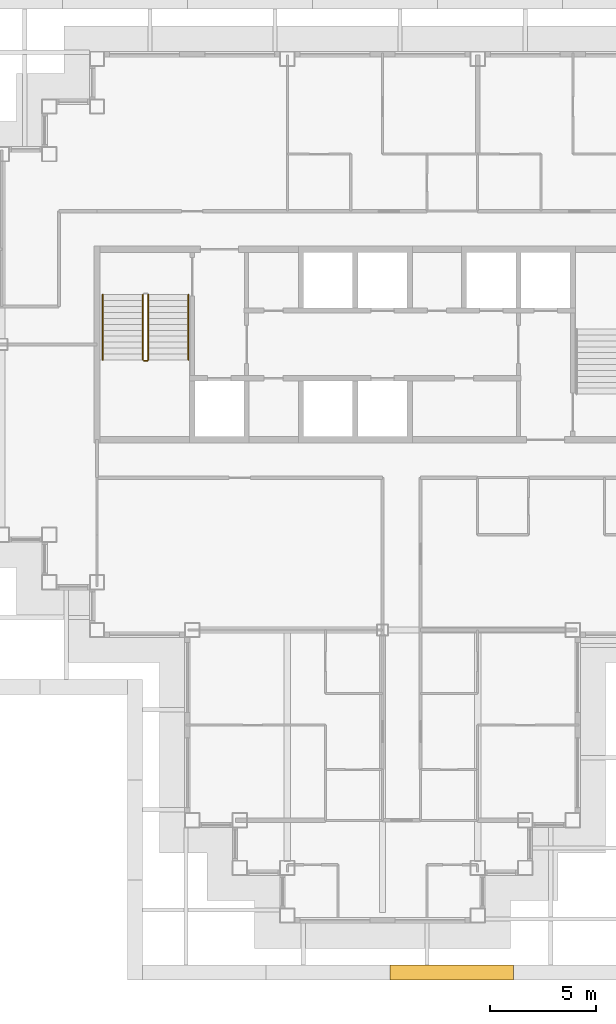
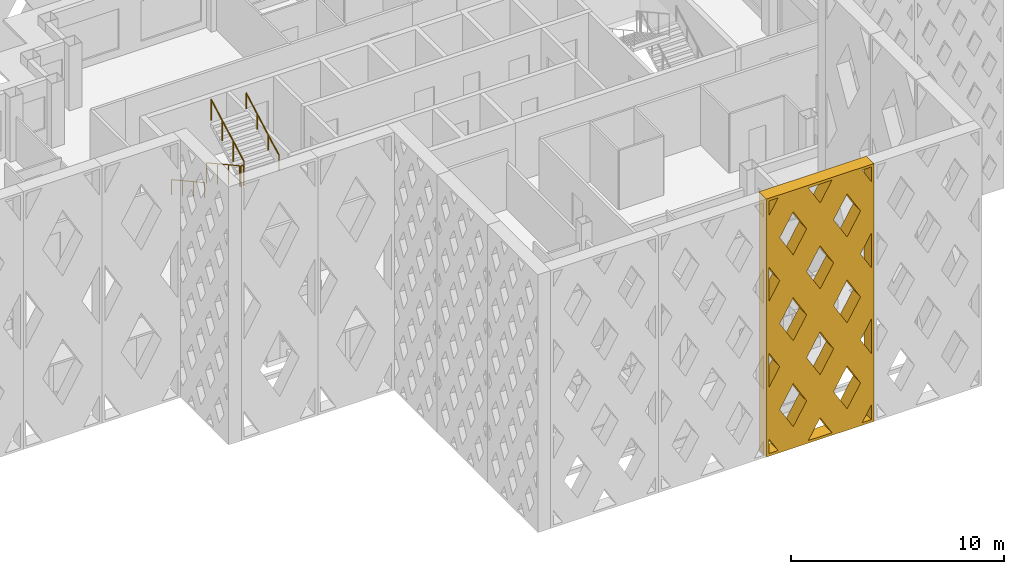
# One storey, part 13 of 17: 5 railings, 1 shading device.
"""IFC4 building model written with IfcOpenShell, lengths in metres."""

from ifc_helpers import new_model, si_unit, direction, frame, origin, origin_2d, place, context, subcontext, project, spatial, polyline, circle, outline, extrude, material, type_object, element, save


model = new_model("IFC4")

# Units and contexts
model_context = context("Model", 3, precision=1e-05, world=origin(), true_north=direction((0.0, 1.0)))
body_context = subcontext(model_context, "Body", "Model", "MODEL_VIEW")
ifc_project = project(units=[si_unit("LENGTHUNIT", "METRE"), si_unit("AREAUNIT", "SQUARE_METRE"), si_unit("VOLUMEUNIT", "CUBIC_METRE"), si_unit("PLANEANGLEUNIT", "RADIAN"), si_unit("MASSUNIT", "GRAM", prefix="KILO")], contexts=[model_context])

# Site, building, storey
site_placement = place(None, origin())
site = spatial("IfcSite", under=ifc_project, at=site_placement, CompositionType="ELEMENT")
building_placement = place(site_placement, origin())
building = spatial("IfcBuilding", under=site, at=building_placement, Name="Caravel Reach Hotel and Residences", CompositionType="ELEMENT")
storey_placement = place(building_placement, frame((0.0, 0.0, 192.39990234375)))
storey = spatial("IfcBuildingStorey", under=building, at=storey_placement, Name="L48", CompositionType="ELEMENT", Elevation=192.39990234375)

# Shading device
ifc_material_1 = material(Name="Black powder-coated aluminium", Category="aluminium")
shading_device_type = type_object("IfcShadingDeviceType", Name="Diamond lattice screen panel 5850 x 14800", PredefinedType="USERDEFINED", material=ifc_material_1)
shading_device_placement = place(storey_placement, frame((31.85009765625, -2.35009765625, 0.0), z_axis=(0.0, -1.0, 0.0), x_axis=(1.0, 0.0, 0.0)))
element("IfcShadingDevice", 1, at=shading_device_placement, inside=storey, type_object=shading_device_type, Name="Lattice screen L48-L51 12.3", ObjectType="SCREEN", PredefinedType="USERDEFINED", context=body_context, shape_type="SweptSolid", body=[
    extrude(outline(polyline([(0.0, 0.0), (5.85009765625, 0.0), (5.85009765625, 14.800048828125), (0.0, 14.800048828125), (0.0, 0.0)]), holes=[polyline([(0.644775390625, 0.14990234375), (0.14990234375, 0.984375), (0.14990234375, 0.14990234375), (0.644775390625, 0.14990234375)]), polyline([(0.733642578125, 4.933349609375), (0.14990234375, 5.917724609375), (0.14990234375, 3.948974609375), (0.733642578125, 4.933349609375)]), polyline([(0.733642578125, 9.86669921875), (0.14990234375, 10.85107421875), (0.14990234375, 8.88232421875), (0.733642578125, 9.86669921875)]), polyline([(0.14990234375, 13.815673828125), (0.644775390625, 14.64990234375), (0.14990234375, 14.64990234375), (0.14990234375, 13.815673828125)]), polyline([(1.46240234375, 3.703857421875), (0.72900390625, 2.466552734375), (1.46240234375, 1.2294921875), (2.196044921875, 2.466552734375), (1.46240234375, 3.703857421875)]), polyline([(1.46240234375, 8.63720703125), (0.72900390625, 7.39990234375), (1.46240234375, 6.16259765625), (2.196044921875, 7.39990234375), (1.46240234375, 8.63720703125)]), polyline([(1.46240234375, 13.570556640625), (0.72900390625, 12.333251953125), (1.46240234375, 11.095947265625), (2.196044921875, 12.333251953125), (1.46240234375, 13.570556640625)]), polyline([(2.925048828125, 1.2373046875), (2.2802734375, 0.14990234375), (3.569580078125, 0.14990234375), (2.925048828125, 1.2373046875)]), polyline([(2.925048828125, 6.170654296875), (2.19140625, 4.933349609375), (2.925048828125, 3.696044921875), (3.65869140625, 4.933349609375), (2.925048828125, 6.170654296875)]), polyline([(2.925048828125, 11.10400390625), (2.19140625, 9.86669921875), (2.925048828125, 8.62939453125), (3.65869140625, 9.86669921875), (2.925048828125, 11.10400390625)]), polyline([(2.925048828125, 13.562744140625), (3.569580078125, 14.64990234375), (2.2802734375, 14.64990234375), (2.925048828125, 13.562744140625)]), polyline([(4.387451171875, 3.703857421875), (3.65380859375, 2.466552734375), (4.387451171875, 1.2294921875), (5.12109375, 2.466552734375), (4.387451171875, 3.703857421875)]), polyline([(4.387451171875, 8.63720703125), (3.65380859375, 7.39990234375), (4.387451171875, 6.16259765625), (5.12109375, 7.39990234375), (4.387451171875, 8.63720703125)]), polyline([(4.387451171875, 13.570556640625), (3.65380859375, 12.333251953125), (4.387451171875, 11.095947265625), (5.12109375, 12.333251953125), (4.387451171875, 13.570556640625)]), polyline([(5.699951171875, 0.984375), (5.205322265625, 0.14990234375), (5.699951171875, 0.14990234375), (5.699951171875, 0.984375)]), polyline([(5.116455078125, 4.933349609375), (5.699951171875, 3.948974609375), (5.699951171875, 5.917724609375), (5.116455078125, 4.933349609375)]), polyline([(5.116455078125, 9.86669921875), (5.699951171875, 8.88232421875), (5.699951171875, 10.85107421875), (5.116455078125, 9.86669921875)]), polyline([(5.205322265625, 14.64990234375), (5.699951171875, 13.815673828125), (5.699951171875, 14.64990234375), (5.205322265625, 14.64990234375)])]), origin(), (0.0, 0.0, 1.0), 0.699951171875),
])

# Railings
ifc_material_2 = material(Name="Steel balustrade with glass infill", Category="steel")
railing_type_1 = type_object("IfcRailingType", Name="Guard 1200", PredefinedType="GUARDRAIL", material=ifc_material_2)
railing_1_placement = place(storey_placement, frame((20.175048828125, 29.35009765625, 0.154296875)))
element("IfcRailing", 2, at=railing_1_placement, inside=storey, type_object=railing_type_1, Name="L48 ST-A stair guard 1", PredefinedType="GUARDRAIL", context=body_context, shape_type="SweptSolid", body=[
    extrude(circle(Radius=0.02392578125, at=origin_2d()), frame((0.0, 0.0, 1.17578125), z_axis=(0.0, -0.876004717809, 0.482302534076), x_axis=(1.0, 0.0, 0.0)), (0.0, 0.0, 1.0), 3.51611328125),
    extrude(circle(Radius=0.02099609375, at=origin_2d()), origin(), (0.0, 0.0, 1.0), 1.15185546875),
    extrude(circle(Radius=0.02099609375, at=origin_2d()), frame((0.0, -1.026611328125, 0.565185546875)), (0.0, 0.0, 1.0), 1.15185546875),
    extrude(circle(Radius=0.02099609375, at=origin_2d()), frame((0.0, -2.053466796875, 1.130615234375)), (0.0, 0.0, 1.0), 1.15185546875),
    extrude(circle(Radius=0.02099609375, at=origin_2d()), frame((0.0, -3.080078125, 1.69580078125)), (0.0, 0.0, 1.0), 1.15185546875),
])
railing_2_placement = place(storey_placement, frame((20.22509765625, 26.219970703125, 1.85009765625)))
element("IfcRailing", 3, at=railing_2_placement, inside=storey, type_object=railing_type_1, Name="L48 ST-A stair guard 2", PredefinedType="GUARDRAIL", context=body_context, shape_type="SweptSolid", body=[
    extrude(circle(Radius=0.02392578125, at=origin_2d()), frame((0.0, 0.0, 1.17578125), z_axis=(1.0, 0.0, 0.0), x_axis=(0.0, 1.0, 0.0)), (0.0, 0.0, 1.0), 0.14990234375),
    extrude(circle(Radius=0.02099609375, at=origin_2d()), origin(), (0.0, 0.0, 1.0), 1.15185546875),
    extrude(circle(Radius=0.02099609375, at=origin_2d()), frame((0.14990234375, 0.0, 0.0)), (0.0, 0.0, 1.0), 1.15185546875),
])
railing_3_placement = place(storey_placement, frame((20.425048828125, 26.27001953125, 2.004150390625)))
element("IfcRailing", 4, at=railing_3_placement, inside=storey, type_object=railing_type_1, Name="L48 ST-A stair guard 3", PredefinedType="GUARDRAIL", context=body_context, shape_type="SweptSolid", body=[
    extrude(circle(Radius=0.02392578125, at=origin_2d()), frame((0.0, 0.0, 1.17578125), z_axis=(0.0, 0.875975380505, 0.482355815502), x_axis=(-1.0, 0.0, 0.0)), (0.0, 0.0, 1.0), 3.51611328125),
    extrude(circle(Radius=0.02099609375, at=origin_2d()), origin(), (0.0, 0.0, 1.0), 1.15185546875),
    extrude(circle(Radius=0.02099609375, at=origin_2d()), frame((0.0, 1.026611328125, 0.5654296875)), (0.0, 0.0, 1.0), 1.15185546875),
    extrude(circle(Radius=0.02099609375, at=origin_2d()), frame((0.0, 2.053466796875, 1.130615234375)), (0.0, 0.0, 1.0), 1.15185546875),
    extrude(circle(Radius=0.02099609375, at=origin_2d()), frame((0.0, 3.080078125, 1.696044921875)), (0.0, 0.0, 1.0), 1.15185546875),
])
ifc_material_3 = material(Name="Stainless steel handrail", Category="steel")
railing_type_2 = type_object("IfcRailingType", Name="Handrail 900", PredefinedType="HANDRAIL", material=ifc_material_3)
railing_4_placement = place(storey_placement, frame((18.27490234375, 29.35009765625, 0.154296875)))
element("IfcRailing", 5, at=railing_4_placement, inside=storey, type_object=railing_type_2, Name="L48 ST-A stair handrail 1", PredefinedType="HANDRAIL", context=body_context, shape_type="SweptSolid", body=[
    extrude(circle(Radius=0.02392578125, at=origin_2d()), frame((0.0, 0.0, 0.8759765625), z_axis=(0.0, -0.876004717809, 0.482302534076), x_axis=(1.0, 0.0, 0.0)), (0.0, 0.0, 1.0), 3.51611328125),
    extrude(circle(Radius=0.02099609375, at=origin_2d()), origin(), (0.0, 0.0, 1.0), 0.851806640625),
    extrude(circle(Radius=0.02099609375, at=origin_2d()), frame((0.0, -1.026611328125, 0.565185546875)), (0.0, 0.0, 1.0), 0.851806640625),
    extrude(circle(Radius=0.02099609375, at=origin_2d()), frame((0.0, -2.053466796875, 1.130615234375)), (0.0, 0.0, 1.0), 0.851806640625),
    extrude(circle(Radius=0.02099609375, at=origin_2d()), frame((0.0, -3.080078125, 1.69580078125)), (0.0, 0.0, 1.0), 0.851806640625),
])
railing_5_placement = place(storey_placement, frame((22.324951171875, 26.27001953125, 2.004150390625)))
element("IfcRailing", 6, at=railing_5_placement, inside=storey, type_object=railing_type_2, Name="L48 ST-A stair handrail 2", PredefinedType="HANDRAIL", context=body_context, shape_type="SweptSolid", body=[
    extrude(circle(Radius=0.02392578125, at=origin_2d()), frame((0.0, 0.0, 0.8759765625), z_axis=(0.0, 0.875975380505, 0.482355815502), x_axis=(-1.0, 0.0, 0.0)), (0.0, 0.0, 1.0), 3.51611328125),
    extrude(circle(Radius=0.02099609375, at=origin_2d()), origin(), (0.0, 0.0, 1.0), 0.851806640625),
    extrude(circle(Radius=0.02099609375, at=origin_2d()), frame((0.0, 1.026611328125, 0.5654296875)), (0.0, 0.0, 1.0), 0.851806640625),
    extrude(circle(Radius=0.02099609375, at=origin_2d()), frame((0.0, 2.053466796875, 1.130615234375)), (0.0, 0.0, 1.0), 0.851806640625),
    extrude(circle(Radius=0.02099609375, at=origin_2d()), frame((0.0, 3.080078125, 1.696044921875)), (0.0, 0.0, 1.0), 0.851806640625),
])

save(model, "model.ifc")
